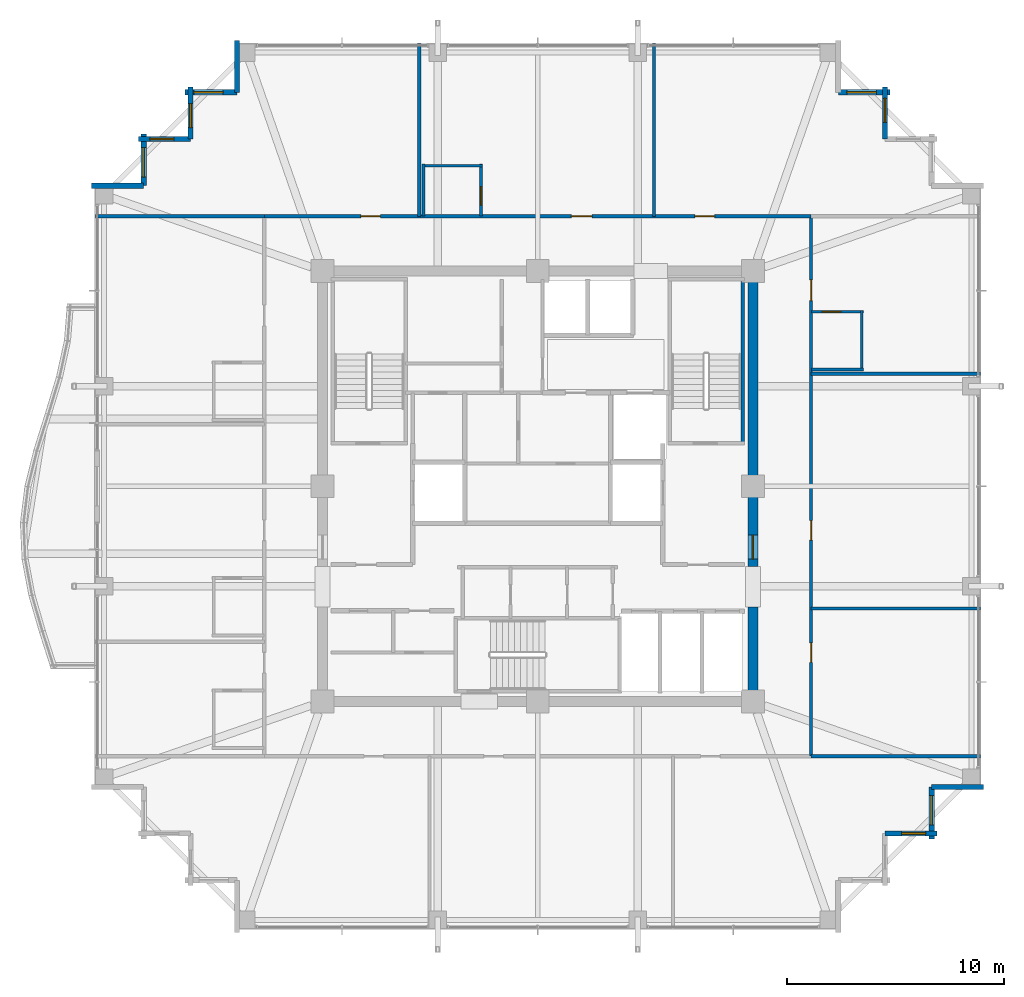
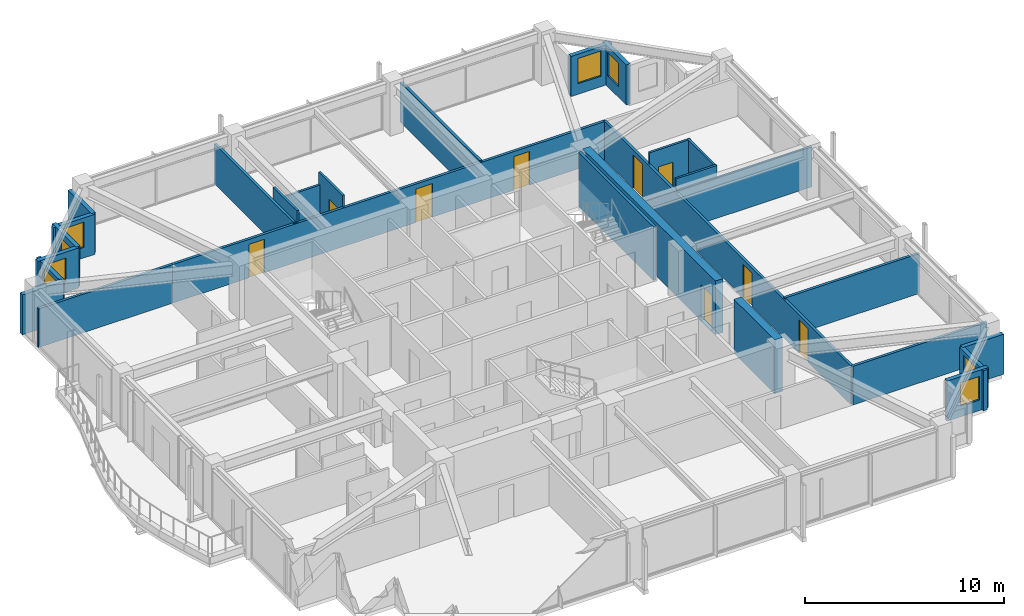
# One storey, part 30 of 33: 28 walls, 9 doors, 8 windows, 17 openings.
"""IFC4 building model written with IfcOpenShell, lengths in metres."""

from ifc_helpers import new_model, si_unit, direction, frame, frame_2d, origin, place, context, subcontext, project, spatial, rectangle, extrude, material, layer, layer_set, type_object, element, fill, save


model = new_model("IFC4")

# Units and contexts
model_context = context("Model", 3, precision=1e-05, world=origin(), true_north=direction((0.0, 1.0)))
body_context = subcontext(model_context, "Body", "Model", "MODEL_VIEW")
ifc_project = project(units=[si_unit("LENGTHUNIT", "METRE"), si_unit("AREAUNIT", "SQUARE_METRE"), si_unit("VOLUMEUNIT", "CUBIC_METRE"), si_unit("PLANEANGLEUNIT", "RADIAN"), si_unit("MASSUNIT", "GRAM", prefix="KILO")], contexts=[model_context])

# Site, building, storey
site_placement = place(None, origin())
site = spatial("IfcSite", under=ifc_project, at=site_placement, CompositionType="ELEMENT")
building_placement = place(site_placement, origin())
building = spatial("IfcBuilding", under=site, at=building_placement, Name="Kolvaren Belvedere", CompositionType="ELEMENT")
storey_placement = place(building_placement, frame((0.0, 0.0, 209.699951171875)))
storey = spatial("IfcBuildingStorey", under=building, at=storey_placement, Name="L61", CompositionType="ELEMENT", Elevation=209.699951171875)

# Wall
ifc_material_1 = material(Name="Concrete C50/60", Category="concrete")
ifc_layer_1 = layer(ifc_material_1, 0.449951171875)
ifc_layer_set_1 = layer_set([ifc_layer_1], Name="Concrete C50/60")
wall_type_1 = type_object("IfcWallType", Name="CW-CORE-450", PredefinedType="SHEAR", material=ifc_layer_set_1)
wall_1_placement = place(storey_placement, frame((9.89990234375, -9.675048828125, 0.0), z_axis=(0.0, 0.0, 1.0), x_axis=(0.0, 1.0, 0.0)))
element("IfcWall", 1, at=wall_1_placement, inside=storey, type_object=wall_type_1, Name="L61 East Core Shear Wall 1", PredefinedType="SHEAR", context=body_context, shape_type="SweptSolid", body=[
    extrude(rectangle(XDim=4.125, YDim=0.449951171875, at=frame_2d((2.0625, 0.0))), origin(), (0.0, 0.0, 1.0), 3.300048828125),
])

# Wall, opening, door
wall_2_placement = place(storey_placement, frame((9.89990234375, -3.699951171875, 0.0), z_axis=(0.0, 0.0, 1.0), x_axis=(0.0, 1.0, 0.0)))
wall_2 = element("IfcWall", 2, at=wall_2_placement, inside=storey, type_object=wall_type_1, Name="L61 East Core Shear Wall 2", PredefinedType="SHEAR", context=body_context, shape_type="SweptSolid", body=[
    extrude(rectangle(XDim=13.375, YDim=0.449951171875, at=frame_2d((6.6875, 0.0))), origin(), (0.0, 0.0, 1.0), 3.300048828125),
])
opening_1_placement = place(wall_2_placement, frame((0.35009765625, 0.0, 0.0)))
opening_1 = element("IfcOpeningElement", 3, at=opening_1_placement, cuts=wall_2, Name="Opening D-FD90", PredefinedType="OPENING", context=body_context, shape_type="SweptSolid", body=[
    extrude(rectangle(XDim=1.10009765625, YDim=2.199951171875, at=frame_2d((0.550048828125, 1.10009765625))), frame((0.0, 0.23486328125, 0.0), z_axis=(0.0, -1.0, 0.0), x_axis=(1.0, 0.0, 0.0)), (0.0, 0.0, 1.0), 0.469970703125),
])
ifc_material_2 = material(Name="Painted hollow stainless steel", Category="steel")
door_type_1 = type_object("IfcDoorType", Name="DR-FD90-1100", OperationType="NOTDEFINED", PredefinedType="DOOR", material=ifc_material_2)
door_1_placement = place(opening_1_placement, origin())
door_1 = element("IfcDoor", 4, at=door_1_placement, inside=storey, type_object=door_type_1, Name="L61 East Firefighting Lobby Fire Door", OperationType="SINGLE_SWING_RIGHT", OverallHeight=2.199951171875, OverallWidth=1.10009765625, PredefinedType="DOOR", context=body_context, shape_type="SweptSolid", body=[
    extrude(rectangle(XDim=1.10009765625, YDim=2.199951171875, at=frame_2d((0.550048828125, 1.10009765625))), frame((0.0, 0.02490234375, 0.0), z_axis=(0.0, -1.0, 0.0), x_axis=(1.0, 0.0, 0.0)), (0.0, 0.0, 1.0), 0.050048828125),
])
fill(opening_1, door_1)

# Wall
ifc_material_3 = material(Name="Concrete C50/60", Category="concrete")
ifc_layer_2 = layer(ifc_material_3, 0.159912109375)
ifc_layer_set_2 = layer_set([ifc_layer_2], Name="Concrete C50/60")
wall_type_2 = type_object("IfcWallType", Name="CW-STAIR-160", PredefinedType="SHEAR", material=ifc_layer_set_2)
wall_3_placement = place(storey_placement, frame((9.429931640625, 1.969970703125, 0.0), z_axis=(0.0, 0.0, 1.0), x_axis=(0.0, 1.0, 0.0)))
element("IfcWall", 5, at=wall_3_placement, inside=storey, type_object=wall_type_2, Name="L61 Stair ST-2 East Shear Wall", PredefinedType="SHEAR", context=body_context, shape_type="SweptSolid", body=[
    extrude(rectangle(XDim=7.56005859375, YDim=0.159912109375, at=frame_2d((3.780029296875, 0.0))), origin(), (0.0, 0.0, 1.0), 3.300048828125),
])

# Wall, openings, doors
ifc_material_4 = material(Name="Gypsum fire-rated partition assembly", Category="gypsum")
ifc_layer_3 = layer(ifc_material_4, 0.14990234375)
ifc_layer_set_3 = layer_set([ifc_layer_3], Name="Gypsum fire-rated partition assembly")
wall_type_3 = type_object("IfcWallType", Name="WL-CORR-150", PredefinedType="PARTITIONING", material=ifc_layer_set_3)
wall_4_placement = place(storey_placement, frame((-12.580078125, 12.419921875, 0.0), z_axis=(0.0, 0.0, 1.0), x_axis=(1.0, 0.0, 0.0)))
wall_4 = element("IfcWall", 6, at=wall_4_placement, inside=storey, type_object=wall_type_3, Name="L61 North Corridor Wall", PredefinedType="PARTITIONING", context=body_context, shape_type="SweptSolid", body=[
    extrude(rectangle(XDim=25.16015625, YDim=0.14990234375, at=frame_2d((12.580078125, 0.0))), origin(), (0.0, 0.0, 1.0), 2.369140625),
])
opening_2_placement = place(wall_4_placement, frame((4.443115234375, 0.0, 0.0)))
opening_2 = element("IfcOpeningElement", 7, at=opening_2_placement, cuts=wall_4, Name="Opening D-INT90", PredefinedType="OPENING", context=body_context, shape_type="SweptSolid", body=[
    extrude(rectangle(XDim=0.89990234375, YDim=2.06005859375, at=frame_2d((0.449951171875, 1.030029296875))), frame((0.0, 0.0849609375, 0.0), z_axis=(0.0, -1.0, 0.0), x_axis=(1.0, 0.0, 0.0)), (0.0, 0.0, 1.0), 0.169921875),
])
opening_3_placement = place(wall_4_placement, frame((14.135009765625, 0.0, 0.0)))
opening_3 = element("IfcOpeningElement", 8, at=opening_3_placement, cuts=wall_4, Name="Opening D-FD60", PredefinedType="OPENING", context=body_context, shape_type="SweptSolid", body=[
    extrude(rectangle(XDim=0.949951171875, YDim=2.06005859375, at=frame_2d((0.47509765625, 1.030029296875))), frame((0.0, 0.0849609375, 0.0), z_axis=(0.0, -1.0, 0.0), x_axis=(1.0, 0.0, 0.0)), (0.0, 0.0, 1.0), 0.169921875),
])
opening_4_placement = place(wall_4_placement, frame((19.81689453125, 0.0, 0.0)))
opening_4 = element("IfcOpeningElement", 9, at=opening_4_placement, cuts=wall_4, Name="Opening D-INT90", PredefinedType="OPENING", context=body_context, shape_type="SweptSolid", body=[
    extrude(rectangle(XDim=0.89990234375, YDim=2.06005859375, at=frame_2d((0.449951171875, 1.030029296875))), frame((0.0, 0.0849609375, 0.0), z_axis=(0.0, -1.0, 0.0), x_axis=(1.0, 0.0, 0.0)), (0.0, 0.0, 1.0), 0.169921875),
])
ifc_material_5 = material(Name="Acoustic white-oak fire door leaf", Category="timber")
door_type_2 = type_object("IfcDoorType", Name="DR-FD60-950", OperationType="NOTDEFINED", PredefinedType="DOOR", material=ifc_material_5)
door_2_placement = place(opening_3_placement, origin())
door_2 = element("IfcDoor", 10, at=door_2_placement, inside=storey, type_object=door_type_2, Name="L61 Botanical Hospitality Suite 6111 Entry Door", OperationType="SINGLE_SWING_LEFT", OverallHeight=2.06005859375, OverallWidth=0.949951171875, PredefinedType="DOOR", context=body_context, shape_type="SweptSolid", body=[
    extrude(rectangle(XDim=0.949951171875, YDim=2.06005859375, at=frame_2d((0.47509765625, 1.030029296875))), frame((0.0, 0.02490234375, 0.0), z_axis=(0.0, -1.0, 0.0), x_axis=(1.0, 0.0, 0.0)), (0.0, 0.0, 1.0), 0.050048828125),
])
fill(opening_3, door_2)
ifc_material_6 = material(Name="Stained Pacific white oak", Category="timber")
door_type_3 = type_object("IfcDoorType", Name="DR-INT-900", OperationType="NOTDEFINED", PredefinedType="DOOR", material=ifc_material_6)
door_3_placement = place(opening_2_placement, origin())
door_3 = element("IfcDoor", 11, at=door_3_placement, inside=storey, type_object=door_type_3, Name="L61 Lounge 6110 Door", OperationType="SINGLE_SWING_LEFT", OverallHeight=2.06005859375, OverallWidth=0.89990234375, PredefinedType="DOOR", context=body_context, shape_type="SweptSolid", body=[
    extrude(rectangle(XDim=0.89990234375, YDim=2.06005859375, at=frame_2d((0.449951171875, 1.030029296875))), frame((0.0, 0.02490234375, 0.0), z_axis=(0.0, -1.0, 0.0), x_axis=(1.0, 0.0, 0.0)), (0.0, 0.0, 1.0), 0.050048828125),
])
fill(opening_2, door_3)
door_4_placement = place(opening_4_placement, origin())
door_4 = element("IfcDoor", 12, at=door_4_placement, inside=storey, type_object=door_type_3, Name="L61 Lounge 6112 Door", OperationType="SINGLE_SWING_RIGHT", OverallHeight=2.06005859375, OverallWidth=0.89990234375, PredefinedType="DOOR", context=body_context, shape_type="SweptSolid", body=[
    extrude(rectangle(XDim=0.89990234375, YDim=2.06005859375, at=frame_2d((0.449951171875, 1.030029296875))), frame((0.0, 0.02490234375, 0.0), z_axis=(0.0, -1.0, 0.0), x_axis=(1.0, 0.0, 0.0)), (0.0, 0.0, 1.0), 0.050048828125),
])
fill(opening_4, door_4)

wall_5_placement = place(storey_placement, frame((12.580078125, -12.419921875, 0.0), z_axis=(0.0, 0.0, 1.0), x_axis=(0.0, 1.0, 0.0)))
wall_5 = element("IfcWall", 13, at=wall_5_placement, inside=storey, type_object=wall_type_3, Name="L61 East Corridor Wall", PredefinedType="PARTITIONING", context=body_context, shape_type="SweptSolid", body=[
    extrude(rectangle(XDim=24.83984375, YDim=0.14990234375, at=frame_2d((12.419921875, 0.0))), origin(), (0.0, 0.0, 1.0), 2.369140625),
])
opening_5_placement = place(wall_5_placement, frame((4.318115234375, 0.0, 0.0)))
opening_5 = element("IfcOpeningElement", 14, at=opening_5_placement, cuts=wall_5, Name="Opening D-INT90", PredefinedType="OPENING", context=body_context, shape_type="SweptSolid", body=[
    extrude(rectangle(XDim=0.89990234375, YDim=2.06005859375, at=frame_2d((0.449951171875, 1.030029296875))), frame((0.0, 0.0849609375, 0.0), z_axis=(0.0, -1.0, 0.0), x_axis=(1.0, 0.0, 0.0)), (0.0, 0.0, 1.0), 0.169921875),
])
opening_6_placement = place(wall_5_placement, frame((9.93994140625, 0.0, 0.0)))
opening_6 = element("IfcOpeningElement", 15, at=opening_6_placement, cuts=wall_5, Name="Opening D-INT90", PredefinedType="OPENING", context=body_context, shape_type="SweptSolid", body=[
    extrude(rectangle(XDim=0.89990234375, YDim=2.06005859375, at=frame_2d((0.449951171875, 1.030029296875))), frame((0.0, 0.0849609375, 0.0), z_axis=(0.0, -1.0, 0.0), x_axis=(1.0, 0.0, 0.0)), (0.0, 0.0, 1.0), 0.169921875),
])
opening_7_placement = place(wall_5_placement, frame((20.967529296875, 0.0, 0.0)))
opening_7 = element("IfcOpeningElement", 16, at=opening_7_placement, cuts=wall_5, Name="Opening D-FD60", PredefinedType="OPENING", context=body_context, shape_type="SweptSolid", body=[
    extrude(rectangle(XDim=0.949951171875, YDim=2.06005859375, at=frame_2d((0.47509765625, 1.030029296875))), frame((0.0, 0.0849609375, 0.0), z_axis=(0.0, -1.0, 0.0), x_axis=(1.0, 0.0, 0.0)), (0.0, 0.0, 1.0), 0.169921875),
])
door_5_placement = place(opening_7_placement, origin())
door_5 = element("IfcDoor", 17, at=door_5_placement, inside=storey, type_object=door_type_2, Name="L61 King Guest Room 6106 Entry Door", OperationType="SINGLE_SWING_RIGHT", OverallHeight=2.06005859375, OverallWidth=0.949951171875, PredefinedType="DOOR", context=body_context, shape_type="SweptSolid", body=[
    extrude(rectangle(XDim=0.949951171875, YDim=2.06005859375, at=frame_2d((0.47509765625, 1.030029296875))), frame((0.0, 0.02490234375, 0.0), z_axis=(0.0, -1.0, 0.0), x_axis=(1.0, 0.0, 0.0)), (0.0, 0.0, 1.0), 0.050048828125),
])
fill(opening_7, door_5)
door_6_placement = place(opening_5_placement, origin())
door_6 = element("IfcDoor", 18, at=door_6_placement, inside=storey, type_object=door_type_3, Name="L61 Private Hospitality Meeting Room 6104 Door", OperationType="SINGLE_SWING_LEFT", OverallHeight=2.06005859375, OverallWidth=0.89990234375, PredefinedType="DOOR", context=body_context, shape_type="SweptSolid", body=[
    extrude(rectangle(XDim=0.89990234375, YDim=2.06005859375, at=frame_2d((0.449951171875, 1.030029296875))), frame((0.0, 0.02490234375, 0.0), z_axis=(0.0, -1.0, 0.0), x_axis=(1.0, 0.0, 0.0)), (0.0, 0.0, 1.0), 0.050048828125),
])
fill(opening_5, door_6)
door_7_placement = place(opening_6_placement, origin())
door_7 = element("IfcDoor", 19, at=door_7_placement, inside=storey, type_object=door_type_3, Name="L61 Botanical Reading Salon 6105 Door", OperationType="SINGLE_SWING_RIGHT", OverallHeight=2.06005859375, OverallWidth=0.89990234375, PredefinedType="DOOR", context=body_context, shape_type="SweptSolid", body=[
    extrude(rectangle(XDim=0.89990234375, YDim=2.06005859375, at=frame_2d((0.449951171875, 1.030029296875))), frame((0.0, 0.02490234375, 0.0), z_axis=(0.0, -1.0, 0.0), x_axis=(1.0, 0.0, 0.0)), (0.0, 0.0, 1.0), 0.050048828125),
])
fill(opening_6, door_7)

# Wall, opening, window
ifc_material_7 = material(Name="Insulated pale-metal facade wall assembly", Category="aluminium")
ifc_layer_4 = layer(ifc_material_7, 0.239990234375)
ifc_layer_set_4 = layer_set([ifc_layer_4], Name="Insulated pale-metal facade wall assembly")
wall_type_4 = type_object("IfcWallType", Name="WL-EXT-240", PredefinedType="STANDARD", material=ifc_layer_set_4)
wall_6_placement = place(storey_placement, frame((18.3701171875, -15.97998046875, 0.0), z_axis=(0.0, 0.0, 1.0), x_axis=(-1.0, 0.0, 0.0)))
wall_6 = element("IfcWall", 20, at=wall_6_placement, inside=storey, type_object=wall_type_4, Name="L61 Serrated Corner Facade Wall 5", PredefinedType="STANDARD", context=body_context, shape_type="SweptSolid", body=[
    extrude(rectangle(XDim=2.39013671875, YDim=0.239990234375, at=frame_2d((1.195068359375, 0.0))), origin(), (0.0, 0.0, 1.0), 2.463134765625),
])
opening_8_placement = place(wall_6_placement, frame((0.52490234375, 0.0, 0.64990234375)))
opening_8 = element("IfcOpeningElement", 21, at=opening_8_placement, cuts=wall_6, Name="Opening W-1100", PredefinedType="OPENING", context=body_context, shape_type="SweptSolid", body=[
    extrude(rectangle(XDim=1.10009765625, YDim=1.449951171875, at=frame_2d((0.550048828125, 0.72509765625))), frame((0.0, 0.1298828125, 0.0), z_axis=(0.0, -1.0, 0.0), x_axis=(1.0, 0.0, 0.0)), (0.0, 0.0, 1.0), 0.260009765625),
])
ifc_material_8 = material(Name="Low-iron triple insulated glass", Category="glass")
window_type_1 = type_object("IfcWindowType", Name="WN-CORN-1100", PartitioningType="SINGLE_PANEL", PredefinedType="WINDOW", material=ifc_material_8)
window_1_placement = place(opening_8_placement, origin())
window_1 = element("IfcWindow", 22, at=window_1_placement, inside=storey, type_object=window_type_1, Name="L61 Serrated Corner Vision Window 5", OverallHeight=1.449951171875, OverallWidth=1.10009765625, PartitioningType="SINGLE_PANEL", PredefinedType="WINDOW", context=body_context, shape_type="SweptSolid", body=[
    extrude(rectangle(XDim=1.10009765625, YDim=1.449951171875, at=frame_2d((0.550048828125, 0.72509765625))), frame((0.0, 0.030029296875, 0.0), z_axis=(0.0, -1.0, 0.0), x_axis=(1.0, 0.0, 0.0)), (0.0, 0.0, 1.0), 0.06005859375),
])
fill(opening_8, window_1)

wall_7_placement = place(storey_placement, frame((18.1298828125, -13.830078125, 0.0), z_axis=(0.0, 0.0, 1.0), x_axis=(0.0, -1.0, 0.0)))
wall_7 = element("IfcWall", 23, at=wall_7_placement, inside=storey, type_object=wall_type_4, Name="L61 Serrated Corner Facade Wall 6", PredefinedType="STANDARD", context=body_context, shape_type="SweptSolid", body=[
    extrude(rectangle(XDim=2.389892578125, YDim=0.239990234375, at=frame_2d((1.19482421875, 0.0))), origin(), (0.0, 0.0, 1.0), 2.463134765625),
])
opening_9_placement = place(wall_7_placement, frame((0.39990234375, 0.0, 0.64990234375)))
opening_9 = element("IfcOpeningElement", 24, at=opening_9_placement, cuts=wall_7, Name="Opening W-1350", PredefinedType="OPENING", context=body_context, shape_type="SweptSolid", body=[
    extrude(rectangle(XDim=1.35009765625, YDim=1.550048828125, at=frame_2d((0.675048828125, 0.77490234375))), frame((0.0, 0.1298828125, 0.0), z_axis=(0.0, -1.0, 0.0), x_axis=(1.0, 0.0, 0.0)), (0.0, 0.0, 1.0), 0.260009765625),
])
ifc_material_9 = material(Name="Low-iron triple insulated glass", Category="glass")
window_type_2 = type_object("IfcWindowType", Name="WN-CORN-1350", PartitioningType="SINGLE_PANEL", PredefinedType="WINDOW", material=ifc_material_9)
window_2_placement = place(opening_9_placement, origin())
window_2 = element("IfcWindow", 25, at=window_2_placement, inside=storey, type_object=window_type_2, Name="L61 Serrated Corner Vision Window 6", OverallHeight=1.550048828125, OverallWidth=1.35009765625, PartitioningType="SINGLE_PANEL", PredefinedType="WINDOW", context=body_context, shape_type="SweptSolid", body=[
    extrude(rectangle(XDim=1.35009765625, YDim=1.550048828125, at=frame_2d((0.675048828125, 0.77490234375))), frame((0.0, 0.030029296875, 0.0), z_axis=(0.0, -1.0, 0.0), x_axis=(1.0, 0.0, 0.0)), (0.0, 0.0, 1.0), 0.06005859375),
])
fill(opening_9, window_2)

# Wall
wall_8_placement = place(storey_placement, frame((20.52001953125, -13.830078125, 0.0), z_axis=(0.0, 0.0, 1.0), x_axis=(-1.0, 0.0, 0.0)))
element("IfcWall", 26, at=wall_8_placement, inside=storey, type_object=wall_type_4, Name="L61 Serrated Corner Facade Wall 7", PredefinedType="STANDARD", context=body_context, shape_type="SweptSolid", body=[
    extrude(rectangle(XDim=2.39013671875, YDim=0.239990234375, at=frame_2d((1.195068359375, 0.0))), origin(), (0.0, 0.0, 1.0), 2.463134765625),
])

# Wall, opening, window
wall_9_placement = place(storey_placement, frame((15.97998046875, 18.3701171875, 0.0), z_axis=(0.0, 0.0, 1.0), x_axis=(0.0, -1.0, 0.0)))
wall_9 = element("IfcWall", 27, at=wall_9_placement, inside=storey, type_object=wall_type_4, Name="L61 Serrated Corner Facade Wall 12", PredefinedType="STANDARD", context=body_context, shape_type="SweptSolid", body=[
    extrude(rectangle(XDim=2.39013671875, YDim=0.239990234375, at=frame_2d((1.195068359375, 0.0))), origin(), (0.0, 0.0, 1.0), 2.463134765625),
])
opening_10_placement = place(wall_9_placement, frame((0.52490234375, 0.0, 0.64990234375)))
opening_10 = element("IfcOpeningElement", 28, at=opening_10_placement, cuts=wall_9, Name="Opening W-1100", PredefinedType="OPENING", context=body_context, shape_type="SweptSolid", body=[
    extrude(rectangle(XDim=1.10009765625, YDim=1.449951171875, at=frame_2d((0.550048828125, 0.72509765625))), frame((0.0, 0.1298828125, 0.0), z_axis=(0.0, -1.0, 0.0), x_axis=(1.0, 0.0, 0.0)), (0.0, 0.0, 1.0), 0.260009765625),
])
window_3_placement = place(opening_10_placement, origin())
window_3 = element("IfcWindow", 29, at=window_3_placement, inside=storey, type_object=window_type_1, Name="L61 Serrated Corner Vision Window 12", OverallHeight=1.449951171875, OverallWidth=1.10009765625, PartitioningType="SINGLE_PANEL", PredefinedType="WINDOW", context=body_context, shape_type="SweptSolid", body=[
    extrude(rectangle(XDim=1.10009765625, YDim=1.449951171875, at=frame_2d((0.550048828125, 0.72509765625))), frame((0.0, 0.030029296875, 0.0), z_axis=(0.0, -1.0, 0.0), x_axis=(1.0, 0.0, 0.0)), (0.0, 0.0, 1.0), 0.06005859375),
])
fill(opening_10, window_3)

wall_10_placement = place(storey_placement, frame((13.830078125, 18.1298828125, 0.0), z_axis=(0.0, 0.0, 1.0), x_axis=(1.0, 0.0, 0.0)))
wall_10 = element("IfcWall", 30, at=wall_10_placement, inside=storey, type_object=wall_type_4, Name="L61 Serrated Corner Facade Wall 13", PredefinedType="STANDARD", context=body_context, shape_type="SweptSolid", body=[
    extrude(rectangle(XDim=2.389892578125, YDim=0.239990234375, at=frame_2d((1.19482421875, 0.0))), origin(), (0.0, 0.0, 1.0), 2.463134765625),
])
opening_11_placement = place(wall_10_placement, frame((0.39990234375, 0.0, 0.64990234375)))
opening_11 = element("IfcOpeningElement", 31, at=opening_11_placement, cuts=wall_10, Name="Opening W-1350", PredefinedType="OPENING", context=body_context, shape_type="SweptSolid", body=[
    extrude(rectangle(XDim=1.35009765625, YDim=1.550048828125, at=frame_2d((0.675048828125, 0.77490234375))), frame((0.0, 0.1298828125, 0.0), z_axis=(0.0, -1.0, 0.0), x_axis=(1.0, 0.0, 0.0)), (0.0, 0.0, 1.0), 0.260009765625),
])
window_4_placement = place(opening_11_placement, origin())
window_4 = element("IfcWindow", 32, at=window_4_placement, inside=storey, type_object=window_type_2, Name="L61 Serrated Corner Vision Window 13", OverallHeight=1.550048828125, OverallWidth=1.35009765625, PartitioningType="SINGLE_PANEL", PredefinedType="WINDOW", context=body_context, shape_type="SweptSolid", body=[
    extrude(rectangle(XDim=1.35009765625, YDim=1.550048828125, at=frame_2d((0.675048828125, 0.77490234375))), frame((0.0, 0.030029296875, 0.0), z_axis=(0.0, -1.0, 0.0), x_axis=(1.0, 0.0, 0.0)), (0.0, 0.0, 1.0), 0.06005859375),
])
fill(opening_11, window_4)

# Wall
wall_11_placement = place(storey_placement, frame((-13.830078125, 18.1298828125, 0.0), z_axis=(0.0, 0.0, 1.0), x_axis=(0.0, 1.0, 0.0)))
element("IfcWall", 33, at=wall_11_placement, inside=storey, type_object=wall_type_4, Name="L61 Serrated Corner Facade Wall 16", PredefinedType="STANDARD", context=body_context, shape_type="SweptSolid", body=[
    extrude(rectangle(XDim=2.39013671875, YDim=0.239990234375, at=frame_2d((1.195068359375, 0.0))), origin(), (0.0, 0.0, 1.0), 2.463134765625),
])

# Wall, opening, window
wall_12_placement = place(storey_placement, frame((-16.219970703125, 18.1298828125, 0.0), z_axis=(0.0, 0.0, 1.0), x_axis=(1.0, 0.0, 0.0)))
wall_12 = element("IfcWall", 34, at=wall_12_placement, inside=storey, type_object=wall_type_4, Name="L61 Serrated Corner Facade Wall 17", PredefinedType="STANDARD", context=body_context, shape_type="SweptSolid", body=[
    extrude(rectangle(XDim=2.389892578125, YDim=0.239990234375, at=frame_2d((1.19482421875, 0.0))), origin(), (0.0, 0.0, 1.0), 2.463134765625),
])
opening_12_placement = place(wall_12_placement, frame((0.39990234375, 0.0, 0.64990234375)))
opening_12 = element("IfcOpeningElement", 35, at=opening_12_placement, cuts=wall_12, Name="Opening W-1350", PredefinedType="OPENING", context=body_context, shape_type="SweptSolid", body=[
    extrude(rectangle(XDim=1.35009765625, YDim=1.550048828125, at=frame_2d((0.675048828125, 0.77490234375))), frame((0.0, 0.1298828125, 0.0), z_axis=(0.0, -1.0, 0.0), x_axis=(1.0, 0.0, 0.0)), (0.0, 0.0, 1.0), 0.260009765625),
])
window_5_placement = place(opening_12_placement, origin())
window_5 = element("IfcWindow", 36, at=window_5_placement, inside=storey, type_object=window_type_2, Name="L61 Serrated Corner Vision Window 17", OverallHeight=1.550048828125, OverallWidth=1.35009765625, PartitioningType="SINGLE_PANEL", PredefinedType="WINDOW", context=body_context, shape_type="SweptSolid", body=[
    extrude(rectangle(XDim=1.35009765625, YDim=1.550048828125, at=frame_2d((0.675048828125, 0.77490234375))), frame((0.0, 0.030029296875, 0.0), z_axis=(0.0, -1.0, 0.0), x_axis=(1.0, 0.0, 0.0)), (0.0, 0.0, 1.0), 0.06005859375),
])
fill(opening_12, window_5)

wall_13_placement = place(storey_placement, frame((-15.97998046875, 15.97998046875, 0.0), z_axis=(0.0, 0.0, 1.0), x_axis=(0.0, 1.0, 0.0)))
wall_13 = element("IfcWall", 37, at=wall_13_placement, inside=storey, type_object=wall_type_4, Name="L61 Serrated Corner Facade Wall 18", PredefinedType="STANDARD", context=body_context, shape_type="SweptSolid", body=[
    extrude(rectangle(XDim=2.39013671875, YDim=0.239990234375, at=frame_2d((1.195068359375, 0.0))), origin(), (0.0, 0.0, 1.0), 2.463134765625),
])
opening_13_placement = place(wall_13_placement, frame((0.52490234375, 0.0, 0.64990234375)))
opening_13 = element("IfcOpeningElement", 38, at=opening_13_placement, cuts=wall_13, Name="Opening W-1100", PredefinedType="OPENING", context=body_context, shape_type="SweptSolid", body=[
    extrude(rectangle(XDim=1.10009765625, YDim=1.449951171875, at=frame_2d((0.550048828125, 0.72509765625))), frame((0.0, 0.1298828125, 0.0), z_axis=(0.0, -1.0, 0.0), x_axis=(1.0, 0.0, 0.0)), (0.0, 0.0, 1.0), 0.260009765625),
])
window_6_placement = place(opening_13_placement, origin())
window_6 = element("IfcWindow", 39, at=window_6_placement, inside=storey, type_object=window_type_1, Name="L61 Serrated Corner Vision Window 18", OverallHeight=1.449951171875, OverallWidth=1.10009765625, PartitioningType="SINGLE_PANEL", PredefinedType="WINDOW", context=body_context, shape_type="SweptSolid", body=[
    extrude(rectangle(XDim=1.10009765625, YDim=1.449951171875, at=frame_2d((0.550048828125, 0.72509765625))), frame((0.0, 0.030029296875, 0.0), z_axis=(0.0, -1.0, 0.0), x_axis=(1.0, 0.0, 0.0)), (0.0, 0.0, 1.0), 0.06005859375),
])
fill(opening_13, window_6)

wall_14_placement = place(storey_placement, frame((-18.3701171875, 15.97998046875, 0.0), z_axis=(0.0, 0.0, 1.0), x_axis=(1.0, 0.0, 0.0)))
wall_14 = element("IfcWall", 40, at=wall_14_placement, inside=storey, type_object=wall_type_4, Name="L61 Serrated Corner Facade Wall 19", PredefinedType="STANDARD", context=body_context, shape_type="SweptSolid", body=[
    extrude(rectangle(XDim=2.39013671875, YDim=0.239990234375, at=frame_2d((1.195068359375, 0.0))), origin(), (0.0, 0.0, 1.0), 2.463134765625),
])
opening_14_placement = place(wall_14_placement, frame((0.52490234375, 0.0, 0.64990234375)))
opening_14 = element("IfcOpeningElement", 41, at=opening_14_placement, cuts=wall_14, Name="Opening W-1100", PredefinedType="OPENING", context=body_context, shape_type="SweptSolid", body=[
    extrude(rectangle(XDim=1.10009765625, YDim=1.449951171875, at=frame_2d((0.550048828125, 0.72509765625))), frame((0.0, 0.1298828125, 0.0), z_axis=(0.0, -1.0, 0.0), x_axis=(1.0, 0.0, 0.0)), (0.0, 0.0, 1.0), 0.260009765625),
])
window_7_placement = place(opening_14_placement, origin())
window_7 = element("IfcWindow", 42, at=window_7_placement, inside=storey, type_object=window_type_1, Name="L61 Serrated Corner Vision Window 19", OverallHeight=1.449951171875, OverallWidth=1.10009765625, PartitioningType="SINGLE_PANEL", PredefinedType="WINDOW", context=body_context, shape_type="SweptSolid", body=[
    extrude(rectangle(XDim=1.10009765625, YDim=1.449951171875, at=frame_2d((0.550048828125, 0.72509765625))), frame((0.0, 0.030029296875, 0.0), z_axis=(0.0, -1.0, 0.0), x_axis=(1.0, 0.0, 0.0)), (0.0, 0.0, 1.0), 0.06005859375),
])
fill(opening_14, window_7)

wall_15_placement = place(storey_placement, frame((-18.1298828125, 13.830078125, 0.0), z_axis=(0.0, 0.0, 1.0), x_axis=(0.0, 1.0, 0.0)))
wall_15 = element("IfcWall", 43, at=wall_15_placement, inside=storey, type_object=wall_type_4, Name="L61 Serrated Corner Facade Wall 20", PredefinedType="STANDARD", context=body_context, shape_type="SweptSolid", body=[
    extrude(rectangle(XDim=2.389892578125, YDim=0.239990234375, at=frame_2d((1.19482421875, 0.0))), origin(), (0.0, 0.0, 1.0), 2.463134765625),
])
opening_15_placement = place(wall_15_placement, frame((0.39990234375, 0.0, 0.64990234375)))
opening_15 = element("IfcOpeningElement", 44, at=opening_15_placement, cuts=wall_15, Name="Opening W-1350", PredefinedType="OPENING", context=body_context, shape_type="SweptSolid", body=[
    extrude(rectangle(XDim=1.35009765625, YDim=1.550048828125, at=frame_2d((0.675048828125, 0.77490234375))), frame((0.0, 0.1298828125, 0.0), z_axis=(0.0, -1.0, 0.0), x_axis=(1.0, 0.0, 0.0)), (0.0, 0.0, 1.0), 0.260009765625),
])
window_8_placement = place(opening_15_placement, origin())
window_8 = element("IfcWindow", 45, at=window_8_placement, inside=storey, type_object=window_type_2, Name="L61 Serrated Corner Vision Window 20", OverallHeight=1.550048828125, OverallWidth=1.35009765625, PartitioningType="SINGLE_PANEL", PredefinedType="WINDOW", context=body_context, shape_type="SweptSolid", body=[
    extrude(rectangle(XDim=1.35009765625, YDim=1.550048828125, at=frame_2d((0.675048828125, 0.77490234375))), frame((0.0, 0.030029296875, 0.0), z_axis=(0.0, -1.0, 0.0), x_axis=(1.0, 0.0, 0.0)), (0.0, 0.0, 1.0), 0.06005859375),
])
fill(opening_15, window_8)

# Walls
wall_16_placement = place(storey_placement, frame((-20.52001953125, 13.830078125, 0.0), z_axis=(0.0, 0.0, 1.0), x_axis=(1.0, 0.0, 0.0)))
element("IfcWall", 46, at=wall_16_placement, inside=storey, type_object=wall_type_4, Name="L61 Serrated Corner Facade Wall 21", PredefinedType="STANDARD", context=body_context, shape_type="SweptSolid", body=[
    extrude(rectangle(XDim=2.39013671875, YDim=0.239990234375, at=frame_2d((1.195068359375, 0.0))), origin(), (0.0, 0.0, 1.0), 2.463134765625),
])
ifc_material_10 = material(Name="Gypsum acoustic partition assembly", Category="gypsum")
ifc_layer_5 = layer(ifc_material_10, 0.14990234375)
ifc_layer_set_5 = layer_set([ifc_layer_5], Name="Gypsum acoustic partition assembly")
wall_type_5 = type_object("IfcWallType", Name="WL-PART-150", PredefinedType="PARTITIONING", material=ifc_layer_set_5)
for number, where, z_axis, x_axis, name in (
    (47, (12.580078125, -12.419921875, 0.0), (0.0, 0.0, 1.0), (1.0, 0.0, 0.0), "L61 Wing Divider PW-L61-QSE"),
    (48, (-20.3798828125, 12.419921875, 0.0), (0.0, 0.0, 1.0), (1.0, 0.0, 0.0), "L61 Wing Divider PW-L61-QNW"),
):
    element("IfcWall", number, at=place(storey_placement, frame(where, z_axis=z_axis, x_axis=x_axis)), inside=storey, type_object=wall_type_5, Name=name, PredefinedType="PARTITIONING", context=body_context, shape_type="SweptSolid", body=[
        extrude(rectangle(XDim=7.7998046875, YDim=0.14990234375, at=frame_2d((3.89990234375, 0.0))), origin(), (0.0, 0.0, 1.0), 2.369140625),
    ])
for number, where, z_axis, x_axis, name in (
    (49, (12.580078125, -5.6201171875, 0.0), (0.0, 0.0, 1.0), (1.0, 0.0, 0.0), "L61 East Suite Demising Wall 1"),
    (50, (12.580078125, 5.179931640625, 0.0), (0.0, 0.0, 1.0), (1.0, 0.0, 0.0), "L61 East Suite Demising Wall 2"),
):
    element("IfcWall", number, at=place(storey_placement, frame(where, z_axis=z_axis, x_axis=x_axis)), inside=storey, type_object=wall_type_5, Name=name, PredefinedType="PARTITIONING", context=body_context, shape_type="SweptSolid", body=[
        extrude(rectangle(XDim=7.7998046875, YDim=0.14990234375, at=frame_2d((3.89990234375, 0.0))), origin(), (0.0, 0.0, 1.0), 2.453125),
    ])
for number, where, z_axis, x_axis, name in (
    (51, (-5.451904296875, 12.419921875, 0.0), (0.0, 0.0, 1.0), (0.0, 1.0, 0.0), "L61 North Suite Demising Wall 1"),
    (52, (5.347900390625, 12.419921875, 0.0), (0.0, 0.0, 1.0), (0.0, 1.0, 0.0), "L61 North Suite Demising Wall 2"),
):
    element("IfcWall", number, at=place(storey_placement, frame(where, z_axis=z_axis, x_axis=x_axis)), inside=storey, type_object=wall_type_5, Name=name, PredefinedType="PARTITIONING", context=body_context, shape_type="SweptSolid", body=[
        extrude(rectangle(XDim=7.9599609375, YDim=0.14990234375, at=frame_2d((3.97998046875, 0.0))), origin(), (0.0, 0.0, 1.0), 2.453125),
    ])

# Wall, opening, door
ifc_material_11 = material(Name="Moisture-resistant gypsum partition", Category="gypsum")
ifc_layer_6 = layer(ifc_material_11, 0.125)
ifc_layer_set_6 = layer_set([ifc_layer_6], Name="Moisture-resistant gypsum partition")
wall_type_6 = type_object("IfcWallType", Name="WL-WET-125", PredefinedType="PARTITIONING", material=ifc_layer_set_6)
wall_17_placement = place(storey_placement, frame((12.594970703125, 8.02490234375, 0.0), z_axis=(0.0, 0.0, 1.0), x_axis=(1.0, 0.0, 0.0)))
wall_17 = element("IfcWall", 53, at=wall_17_placement, inside=storey, type_object=wall_type_6, Name="L61 Bathroom Partition PW-L61-BTH-6-N", PredefinedType="PARTITIONING", context=body_context, shape_type="SweptSolid", body=[
    extrude(rectangle(XDim=2.39013671875, YDim=0.125, at=frame_2d((1.195068359375, 0.0))), origin(), (0.0, 0.0, 1.0), 3.080078125),
])
opening_16_placement = place(wall_17_placement, frame((0.5, 0.0, 0.0)))
opening_16 = element("IfcOpeningElement", 54, at=opening_16_placement, cuts=wall_17, Name="Opening D-BTH85", PredefinedType="OPENING", context=body_context, shape_type="SweptSolid", body=[
    extrude(rectangle(XDim=0.85009765625, YDim=2.030029296875, at=frame_2d((0.425048828125, 1.01513671875))), frame((0.0, 0.072509765625, 0.0), z_axis=(0.0, -1.0, 0.0), x_axis=(1.0, 0.0, 0.0)), (0.0, 0.0, 1.0), 0.14501953125),
])
ifc_material_12 = material(Name="Moisture-sealed Pacific white oak", Category="timber")
door_type_4 = type_object("IfcDoorType", Name="DR-BATH-850", OperationType="NOTDEFINED", PredefinedType="DOOR", material=ifc_material_12)
door_8_placement = place(opening_16_placement, origin())
door_8 = element("IfcDoor", 55, at=door_8_placement, inside=storey, type_object=door_type_4, Name="L61 En-Suite Bathroom 6106 Door", OperationType="SINGLE_SWING_LEFT", OverallHeight=2.030029296875, OverallWidth=0.85009765625, PredefinedType="DOOR", context=body_context, shape_type="SweptSolid", body=[
    extrude(rectangle(XDim=0.85009765625, YDim=2.030029296875, at=frame_2d((0.425048828125, 1.01513671875))), frame((0.0, 0.02490234375, 0.0), z_axis=(0.0, -1.0, 0.0), x_axis=(1.0, 0.0, 0.0)), (0.0, 0.0, 1.0), 0.050048828125),
])
fill(opening_16, door_8)

# Walls
wall_18_placement = place(storey_placement, frame((14.905029296875, 5.31494140625, 0.0), z_axis=(0.0, 0.0, 1.0), x_axis=(0.0, 1.0, 0.0)))
element("IfcWall", 56, at=wall_18_placement, inside=storey, type_object=wall_type_6, Name="L61 Bathroom Partition PW-L61-BTH-6-V", PredefinedType="PARTITIONING", context=body_context, shape_type="SweptSolid", body=[
    extrude(rectangle(XDim=2.77001953125, YDim=0.125, at=frame_2d((1.385009765625, 0.0))), origin(), (0.0, 0.0, 1.0), 3.080078125),
])
wall_19_placement = place(storey_placement, frame((12.594970703125, 5.375, 0.0), z_axis=(0.0, 0.0, 1.0), x_axis=(1.0, 0.0, 0.0)))
element("IfcWall", 57, at=wall_19_placement, inside=storey, type_object=wall_type_6, Name="L61 Bathroom Partition PW-L61-BTH-6-S", PredefinedType="PARTITIONING", context=body_context, shape_type="SweptSolid", body=[
    extrude(rectangle(XDim=2.39013671875, YDim=0.125, at=frame_2d((1.195068359375, 0.0))), origin(), (0.0, 0.0, 1.0), 3.080078125),
])

# Wall, opening, door
wall_20_placement = place(storey_placement, frame((-2.60693359375, 12.43505859375, 0.0), z_axis=(0.0, 0.0, 1.0), x_axis=(0.0, 1.0, 0.0)))
wall_20 = element("IfcWall", 58, at=wall_20_placement, inside=storey, type_object=wall_type_6, Name="L61 Bathroom Partition PW-L61-BTH-11-E", PredefinedType="PARTITIONING", context=body_context, shape_type="SweptSolid", body=[
    extrude(rectangle(XDim=2.389892578125, YDim=0.125, at=frame_2d((1.19482421875, 0.0))), origin(), (0.0, 0.0, 1.0), 3.080078125),
])
opening_17_placement = place(wall_20_placement, frame((0.5, 0.0, 0.0)))
opening_17 = element("IfcOpeningElement", 59, at=opening_17_placement, cuts=wall_20, Name="Opening D-BTH85", PredefinedType="OPENING", context=body_context, shape_type="SweptSolid", body=[
    extrude(rectangle(XDim=0.85009765625, YDim=2.030029296875, at=frame_2d((0.425048828125, 1.01513671875))), frame((0.0, 0.072509765625, 0.0), z_axis=(0.0, -1.0, 0.0), x_axis=(1.0, 0.0, 0.0)), (0.0, 0.0, 1.0), 0.14501953125),
])
door_9_placement = place(opening_17_placement, origin())
door_9 = element("IfcDoor", 60, at=door_9_placement, inside=storey, type_object=door_type_4, Name="L61 En-Suite Bathroom 6111 Door", OperationType="SINGLE_SWING_RIGHT", OverallHeight=2.030029296875, OverallWidth=0.85009765625, PredefinedType="DOOR", context=body_context, shape_type="SweptSolid", body=[
    extrude(rectangle(XDim=0.85009765625, YDim=2.030029296875, at=frame_2d((0.425048828125, 1.01513671875))), frame((0.0, 0.02490234375, 0.0), z_axis=(0.0, -1.0, 0.0), x_axis=(1.0, 0.0, 0.0)), (0.0, 0.0, 1.0), 0.050048828125),
])
fill(opening_17, door_9)

# Walls
wall_21_placement = place(storey_placement, frame((-5.31689453125, 14.7451171875, 0.0), z_axis=(0.0, 0.0, 1.0), x_axis=(1.0, 0.0, 0.0)))
element("IfcWall", 61, at=wall_21_placement, inside=storey, type_object=wall_type_6, Name="L61 Bathroom Partition PW-L61-BTH-11-H", PredefinedType="PARTITIONING", context=body_context, shape_type="SweptSolid", body=[
    extrude(rectangle(XDim=2.769775390625, YDim=0.125, at=frame_2d((1.384765625, 0.0))), origin(), (0.0, 0.0, 1.0), 2.369140625),
])
wall_22_placement = place(storey_placement, frame((-5.257080078125, 12.43505859375, 0.0), z_axis=(0.0, 0.0, 1.0), x_axis=(0.0, 1.0, 0.0)))
element("IfcWall", 62, at=wall_22_placement, inside=storey, type_object=wall_type_6, Name="L61 Bathroom Partition PW-L61-BTH-11-W", PredefinedType="PARTITIONING", context=body_context, shape_type="SweptSolid", body=[
    extrude(rectangle(XDim=2.389892578125, YDim=0.125, at=frame_2d((1.19482421875, 0.0))), origin(), (0.0, 0.0, 1.0), 3.080078125),
])

save(model, "model.ifc")
